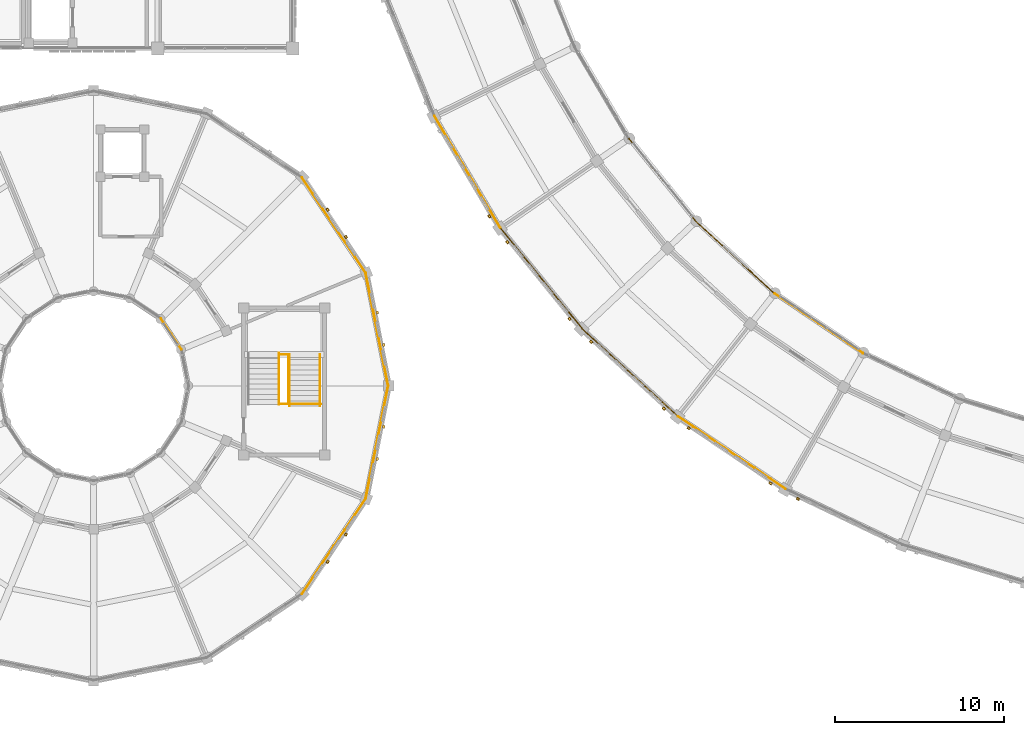
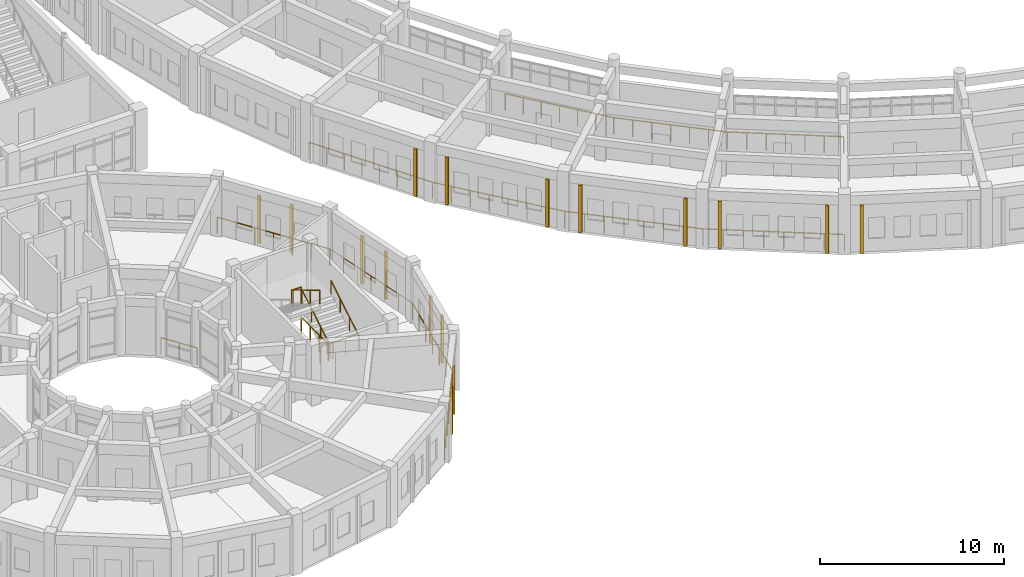
# One storey, part 141 of 159: 18 railings, 16 coverings.
"""IFC4 building model written with IfcOpenShell, lengths in metres."""

from ifc_helpers import new_model, si_unit, direction, frame, origin, origin_2d, place, context, subcontext, project, spatial, rectangle, circle, extrude, material, layer, layer_set, type_object, element, save


model = new_model("IFC4")

# Units and contexts
model_context = context("Model", 3, precision=1e-05, world=origin(), true_north=direction((0.0, 1.0)))
body_context = subcontext(model_context, "Body", "Model", "MODEL_VIEW")
ifc_project = project(units=[si_unit("LENGTHUNIT", "METRE"), si_unit("AREAUNIT", "SQUARE_METRE"), si_unit("VOLUMEUNIT", "CUBIC_METRE"), si_unit("PLANEANGLEUNIT", "RADIAN"), si_unit("MASSUNIT", "GRAM", prefix="KILO")], contexts=[model_context])

# Site, building, storey
site_placement = place(None, origin())
site = spatial("IfcSite", under=ifc_project, at=site_placement, CompositionType="ELEMENT")
building_placement = place(site_placement, origin())
building = spatial("IfcBuilding", under=site, at=building_placement, Name="Celadon Cloister-Ring School", CompositionType="ELEMENT")
storey_placement = place(building_placement, frame((0.0, 0.0, 4.5)))
storey = spatial("IfcBuildingStorey", under=building, at=storey_placement, Name="L01", CompositionType="ELEMENT", Elevation=4.5)

# Coverings
ifc_material_1 = material(Name="Perforated terracotta clay brick masonry", Category="masonry")
ifc_layer = layer(ifc_material_1, 0.139892578125)
ifc_layer_set = layer_set([ifc_layer], Name="Perforated terracotta clay brick masonry")
covering_type = type_object("IfcCoveringType", Name="CV-SC1", PredefinedType="CLADDING", material=ifc_layer_set)
for number, where, z_axis, x_axis, name in (
    (1, (43.6640625, 30.049072265625, 0.0), (0.0, 0.0, 1.0), (-0.507809026694, 0.861469670045, 0.0), "Brick Screen Rib 0152"),
    (2, (48.4169921875, 23.964111328125, 0.0), (0.0, 0.0, 1.0), (-0.629510264842, 0.776992166279, 0.0), "Brick Screen Rib 0154"),
    (3, (44.73388671875, 28.510009765625, 0.0), (0.0, 0.0, 1.0), (-0.629510264842, 0.776992166279, 0.0), "Brick Screen Rib 0155"),
    (4, (54.01708984375, 18.64892578125, 0.0), (0.0, 0.0, 1.0), (-0.737501330465, 0.67534568005, 0.0), "Brick Screen Rib 0156"),
    (5, (49.701904296875, 22.59912109375, 0.0), (0.0, 0.0, 1.0), (-0.737501330465, 0.67534568005, 0.0), "Brick Screen Rib 0157"),
    (6, (60.340087890625, 14.218017578125, 0.0), (0.0, 0.0, 1.0), (-0.829193696345, 0.558961370706, 0.0), "Brick Screen Rib 0158"),
    (7, (55.489990234375, 17.488037109375, 0.0), (0.0, 0.0, 1.0), (-0.829193696345, 0.558961370706, 0.0), "Brick Screen Rib 0159"),
    (8, (61.968017578125, 13.2880859375, 0.0), (0.0, 0.0, 1.0), (-0.90274301428, 0.430180253114, 0.0), "Brick Screen Rib 0161"),
    (9, (37.01708984375, 24.339111328125, 0.0), (0.0, 0.0, 1.0), (0.195141675546, -0.980775064153, 0.0), "Brick Screen Rib 0606"),
    (10, (37.39794921875, 22.427001953125, 0.0), (0.0, 0.0, 1.0), (0.195141675546, -0.980775064153, 0.0), "Brick Screen Rib 0607"),
    (11, (34.075927734375, 30.444091796875, 0.0), (0.0, 0.0, 1.0), (0.55567181205, -0.831401730389, 0.0), "Brick Screen Rib 0608"),
    (12, (35.159912109375, 28.822998046875, 0.0), (0.0, 0.0, 1.0), (0.55567181205, -0.831401730389, 0.0), "Brick Screen Rib 0609"),
    (13, (35.159912109375, 11.177001953125, 0.0), (0.0, 0.0, 1.0), (-0.55567181205, -0.831401730389, 0.0), "Brick Screen Rib 0634"),
    (14, (34.075927734375, 9.555908203125, 0.0), (0.0, 0.0, 1.0), (-0.55567181205, -0.831401730389, 0.0), "Brick Screen Rib 0635"),
    (15, (37.39794921875, 17.572998046875, 0.0), (0.0, 0.0, 1.0), (-0.195141675546, -0.980775064153, 0.0), "Brick Screen Rib 0636"),
    (16, (37.01708984375, 15.660888671875, 0.0), (0.0, 0.0, 1.0), (-0.195141675546, -0.980775064153, 0.0), "Brick Screen Rib 0637"),
):
    element("IfcCovering", number, at=place(storey_placement, frame(where, z_axis=z_axis, x_axis=x_axis)), inside=storey, type_object=covering_type, Name=name, PredefinedType="CLADDING", context=body_context, shape_type="SweptSolid", body=[
        extrude(rectangle(XDim=0.179931640625, YDim=0.139892578125, at=origin_2d()), origin(), (0.0, 0.0, 1.0), 3.152099609375),
    ])

# Railings
ifc_material_2 = material(Name="Structural steel S355JR", Category="steel")
railing_type_1 = type_object("IfcRailingType", Name="RL-BL1", PredefinedType="BALUSTRADE", material=ifc_material_2)
railing_1_placement = place(storey_placement, frame((40.410888671875, 35.993896484375, 0.0)))
element("IfcRailing", 17, at=railing_1_placement, inside=storey, type_object=railing_type_1, Name="Terrace Balustrade 0011", PredefinedType="BALUSTRADE", context=body_context, shape_type="SweptSolid", body=[
    extrude(circle(Radius=0.02392578125, at=origin_2d()), frame((0.0, 0.0, 1.09619140625), z_axis=(0.508006743226, -0.861353091848, 0.0), x_axis=(0.861353091848, 0.508006743226, 0.0)), (0.0, 0.0, 1.0), 7.697021484375),
    extrude(circle(Radius=0.02099609375, at=origin_2d()), origin(), (0.0, 0.0, 1.0), 1.072021484375),
    extrude(circle(Radius=0.02099609375, at=origin_2d()), frame((0.55859375, -0.947021484375, 0.0)), (0.0, 0.0, 1.0), 1.072021484375),
    extrude(circle(Radius=0.02099609375, at=origin_2d()), frame((1.1171875, -1.894287109375, 0.0)), (0.0, 0.0, 1.0), 1.072021484375),
    extrude(circle(Radius=0.02099609375, at=origin_2d()), frame((1.67578125, -2.84130859375, 0.0)), (0.0, 0.0, 1.0), 1.072021484375),
    extrude(circle(Radius=0.02099609375, at=origin_2d()), frame((2.234375, -3.78857421875, 0.0)), (0.0, 0.0, 1.0), 1.072021484375),
    extrude(circle(Radius=0.02099609375, at=origin_2d()), frame((2.79296875, -4.735595703125, 0.0)), (0.0, 0.0, 1.0), 1.072021484375),
    extrude(circle(Radius=0.02099609375, at=origin_2d()), frame((3.3515625, -5.682861328125, 0.0)), (0.0, 0.0, 1.0), 1.072021484375),
    extrude(circle(Radius=0.02099609375, at=origin_2d()), frame((3.91015625, -6.6298828125, 0.0)), (0.0, 0.0, 1.0), 1.072021484375),
])
railing_2_placement = place(storey_placement, frame((44.321044921875, 29.364013671875, 0.0)))
element("IfcRailing", 18, at=railing_2_placement, inside=storey, type_object=railing_type_1, Name="Terrace Balustrade 0012", PredefinedType="BALUSTRADE", context=body_context, shape_type="SweptSolid", body=[
    extrude(circle(Radius=0.02392578125, at=origin_2d()), frame((0.0, 0.0, 1.09619140625), z_axis=(0.629605941512, -0.776914640365, 0.0), x_axis=(0.776914640365, 0.629605941512, 0.0)), (0.0, 0.0, 1.0), 7.6982421875),
    extrude(circle(Radius=0.02099609375, at=origin_2d()), origin(), (0.0, 0.0, 1.0), 1.072021484375),
    extrude(circle(Radius=0.02099609375, at=origin_2d()), frame((0.6923828125, -0.8544921875, 0.0)), (0.0, 0.0, 1.0), 1.072021484375),
    extrude(circle(Radius=0.02099609375, at=origin_2d()), frame((1.384765625, -1.708740234375, 0.0)), (0.0, 0.0, 1.0), 1.072021484375),
    extrude(circle(Radius=0.02099609375, at=origin_2d()), frame((2.0771484375, -2.563232421875, 0.0)), (0.0, 0.0, 1.0), 1.072021484375),
    extrude(circle(Radius=0.02099609375, at=origin_2d()), frame((2.769775390625, -3.417724609375, 0.0)), (0.0, 0.0, 1.0), 1.072021484375),
    extrude(circle(Radius=0.02099609375, at=origin_2d()), frame((3.462158203125, -4.272216796875, 0.0)), (0.0, 0.0, 1.0), 1.072021484375),
    extrude(circle(Radius=0.02099609375, at=origin_2d()), frame((4.154541015625, -5.12646484375, 0.0)), (0.0, 0.0, 1.0), 1.072021484375),
    extrude(circle(Radius=0.02099609375, at=origin_2d()), frame((4.846923828125, -5.98095703125, 0.0)), (0.0, 0.0, 1.0), 1.072021484375),
])
railing_3_placement = place(storey_placement, frame((49.16796875, 23.383056640625, 0.0)))
element("IfcRailing", 19, at=railing_3_placement, inside=storey, type_object=railing_type_1, Name="Terrace Balustrade 0013", PredefinedType="BALUSTRADE", context=body_context, shape_type="SweptSolid", body=[
    extrude(circle(Radius=0.02392578125, at=origin_2d()), frame((0.0, 0.0, 1.09619140625), z_axis=(0.737537150433, -0.675306561298, 0.0), x_axis=(0.675306561298, 0.737537150433, 0.0)), (0.0, 0.0, 1.0), 7.697265625),
    extrude(circle(Radius=0.02099609375, at=origin_2d()), origin(), (0.0, 0.0, 1.0), 1.072021484375),
    extrude(circle(Radius=0.02099609375, at=origin_2d()), frame((0.81103515625, -0.74267578125, 0.0)), (0.0, 0.0, 1.0), 1.072021484375),
    extrude(circle(Radius=0.02099609375, at=origin_2d()), frame((1.6220703125, -1.485107421875, 0.0)), (0.0, 0.0, 1.0), 1.072021484375),
    extrude(circle(Radius=0.02099609375, at=origin_2d()), frame((2.43310546875, -2.227783203125, 0.0)), (0.0, 0.0, 1.0), 1.072021484375),
    extrude(circle(Radius=0.02099609375, at=origin_2d()), frame((3.243896484375, -2.97021484375, 0.0)), (0.0, 0.0, 1.0), 1.072021484375),
    extrude(circle(Radius=0.02099609375, at=origin_2d()), frame((4.054931640625, -3.712890625, 0.0)), (0.0, 0.0, 1.0), 1.072021484375),
    extrude(circle(Radius=0.02099609375, at=origin_2d()), frame((4.865966796875, -4.455322265625, 0.0)), (0.0, 0.0, 1.0), 1.072021484375),
    extrude(circle(Radius=0.02099609375, at=origin_2d()), frame((5.677001953125, -5.197998046875, 0.0)), (0.0, 0.0, 1.0), 1.072021484375),
])
railing_4_placement = place(storey_placement, frame((54.844970703125, 18.18505859375, 0.0)))
element("IfcRailing", 20, at=railing_4_placement, inside=storey, type_object=railing_type_1, Name="Terrace Balustrade 0014", PredefinedType="BALUSTRADE", context=body_context, shape_type="SweptSolid", body=[
    extrude(circle(Radius=0.02392578125, at=origin_2d()), frame((0.0, 0.0, 1.09619140625), z_axis=(0.829184941382, -0.558974358075, 0.0), x_axis=(0.558974358075, 0.829184941382, 0.0)), (0.0, 0.0, 1.0), 7.697998046875),
    extrude(circle(Radius=0.02099609375, at=origin_2d()), origin(), (0.0, 0.0, 1.0), 1.072021484375),
    extrude(circle(Radius=0.02099609375, at=origin_2d()), frame((0.911865234375, -0.61474609375, 0.0)), (0.0, 0.0, 1.0), 1.072021484375),
    extrude(circle(Radius=0.02099609375, at=origin_2d()), frame((1.82373046875, -1.2294921875, 0.0)), (0.0, 0.0, 1.0), 1.072021484375),
    extrude(circle(Radius=0.02099609375, at=origin_2d()), frame((2.735595703125, -1.84423828125, 0.0)), (0.0, 0.0, 1.0), 1.072021484375),
    extrude(circle(Radius=0.02099609375, at=origin_2d()), frame((3.6474609375, -2.458740234375, 0.0)), (0.0, 0.0, 1.0), 1.072021484375),
    extrude(circle(Radius=0.02099609375, at=origin_2d()), frame((4.559326171875, -3.073486328125, 0.0)), (0.0, 0.0, 1.0), 1.072021484375),
    extrude(circle(Radius=0.02099609375, at=origin_2d()), frame((5.47119140625, -3.688232421875, 0.0)), (0.0, 0.0, 1.0), 1.072021484375),
    extrude(circle(Radius=0.02099609375, at=origin_2d()), frame((6.383056640625, -4.302978515625, 0.0)), (0.0, 0.0, 1.0), 1.072021484375),
])
railing_5_placement = place(storey_placement, frame((51.93505859375, 34.65087890625, 0.0)))
element("IfcRailing", 21, at=railing_5_placement, inside=storey, type_object=railing_type_1, Name="Terrace Balustrade 0047", PredefinedType="BALUSTRADE", context=body_context, shape_type="SweptSolid", body=[
    extrude(circle(Radius=0.02392578125, at=origin_2d()), frame((0.0, 0.0, 1.09619140625), z_axis=(0.629663450113, -0.776868032288, 0.0), x_axis=(0.776868032288, 0.629663450113, 0.0)), (0.0, 0.0, 1.0), 6.323974609375),
    extrude(circle(Radius=0.02099609375, at=origin_2d()), origin(), (0.0, 0.0, 1.0), 1.072021484375),
    extrude(circle(Radius=0.02099609375, at=origin_2d()), frame((0.66357421875, -0.81884765625, 0.0)), (0.0, 0.0, 1.0), 1.072021484375),
    extrude(circle(Radius=0.02099609375, at=origin_2d()), frame((1.327392578125, -1.6376953125, 0.0)), (0.0, 0.0, 1.0), 1.072021484375),
    extrude(circle(Radius=0.02099609375, at=origin_2d()), frame((1.990966796875, -2.45654296875, 0.0)), (0.0, 0.0, 1.0), 1.072021484375),
    extrude(circle(Radius=0.02099609375, at=origin_2d()), frame((2.654541015625, -3.275146484375, 0.0)), (0.0, 0.0, 1.0), 1.072021484375),
    extrude(circle(Radius=0.02099609375, at=origin_2d()), frame((3.318359375, -4.093994140625, 0.0)), (0.0, 0.0, 1.0), 1.072021484375),
    extrude(circle(Radius=0.02099609375, at=origin_2d()), frame((3.98193359375, -4.912841796875, 0.0)), (0.0, 0.0, 1.0), 1.072021484375),
])
railing_6_placement = place(storey_placement, frame((55.9169921875, 29.738037109375, 0.0)))
element("IfcRailing", 22, at=railing_6_placement, inside=storey, type_object=railing_type_1, Name="Terrace Balustrade 0048", PredefinedType="BALUSTRADE", context=body_context, shape_type="SweptSolid", body=[
    extrude(circle(Radius=0.02392578125, at=origin_2d()), frame((0.0, 0.0, 1.09619140625), z_axis=(0.737500172804, -0.675346944254, 0.0), x_axis=(0.675346944254, 0.737500172804, 0.0)), (0.0, 0.0, 1.0), 6.32421875),
    extrude(circle(Radius=0.02099609375, at=origin_2d()), origin(), (0.0, 0.0, 1.0), 1.072021484375),
    extrude(circle(Radius=0.02099609375, at=origin_2d()), frame((0.77734375, -0.7119140625, 0.0)), (0.0, 0.0, 1.0), 1.072021484375),
    extrude(circle(Radius=0.02099609375, at=origin_2d()), frame((1.5546875, -1.423583984375, 0.0)), (0.0, 0.0, 1.0), 1.072021484375),
    extrude(circle(Radius=0.02099609375, at=origin_2d()), frame((2.33203125, -2.135498046875, 0.0)), (0.0, 0.0, 1.0), 1.072021484375),
    extrude(circle(Radius=0.02099609375, at=origin_2d()), frame((3.109375, -2.847412109375, 0.0)), (0.0, 0.0, 1.0), 1.072021484375),
    extrude(circle(Radius=0.02099609375, at=origin_2d()), frame((3.88671875, -3.55908203125, 0.0)), (0.0, 0.0, 1.0), 1.072021484375),
    extrude(circle(Radius=0.02099609375, at=origin_2d()), frame((4.6640625, -4.27099609375, 0.0)), (0.0, 0.0, 1.0), 1.072021484375),
])
railing_7_placement = place(storey_placement, frame((60.5810546875, 25.467041015625, 0.0)))
element("IfcRailing", 23, at=railing_7_placement, inside=storey, type_object=railing_type_1, Name="Terrace Balustrade 0049", PredefinedType="BALUSTRADE", context=body_context, shape_type="SweptSolid", body=[
    extrude(circle(Radius=0.02392578125, at=origin_2d()), frame((0.0, 0.0, 1.09619140625), z_axis=(0.829153257333, -0.559021355454, 0.0), x_axis=(0.559021355454, 0.829153257333, 0.0)), (0.0, 0.0, 1.0), 6.32568359375),
    extrude(circle(Radius=0.02099609375, at=origin_2d()), origin(), (0.0, 0.0, 1.0), 1.072021484375),
    extrude(circle(Radius=0.02099609375, at=origin_2d()), frame((0.8740234375, -0.58935546875, 0.0)), (0.0, 0.0, 1.0), 1.072021484375),
    extrude(circle(Radius=0.02099609375, at=origin_2d()), frame((1.748291015625, -1.1787109375, 0.0)), (0.0, 0.0, 1.0), 1.072021484375),
    extrude(circle(Radius=0.02099609375, at=origin_2d()), frame((2.62255859375, -1.76806640625, 0.0)), (0.0, 0.0, 1.0), 1.072021484375),
    extrude(circle(Radius=0.02099609375, at=origin_2d()), frame((3.49658203125, -2.357421875, 0.0)), (0.0, 0.0, 1.0), 1.072021484375),
    extrude(circle(Radius=0.02099609375, at=origin_2d()), frame((4.37060546875, -2.94677734375, 0.0)), (0.0, 0.0, 1.0), 1.072021484375),
    extrude(circle(Radius=0.02099609375, at=origin_2d()), frame((5.244873046875, -3.5361328125, 0.0)), (0.0, 0.0, 1.0), 1.072021484375),
])
railing_8_placement = place(storey_placement, frame((37.659912109375, 20.0, 0.0)))
element("IfcRailing", 24, at=railing_8_placement, inside=storey, type_object=railing_type_1, Name="Terrace Balustrade 0313", PredefinedType="BALUSTRADE", context=body_context, shape_type="SweptSolid", body=[
    extrude(circle(Radius=0.02392578125, at=origin_2d()), frame((0.0, 0.0, 1.09619140625), z_axis=(-0.19505472673, 0.980792360074, 0.0), x_axis=(-0.980792360074, -0.19505472673, 0.0)), (0.0, 0.0, 1.0), 6.812744140625),
    extrude(circle(Radius=0.02099609375, at=origin_2d()), origin(), (0.0, 0.0, 1.0), 1.072021484375),
    extrude(circle(Radius=0.02099609375, at=origin_2d()), frame((-0.221435546875, 1.11376953125, 0.0)), (0.0, 0.0, 1.0), 1.072021484375),
    extrude(circle(Radius=0.02099609375, at=origin_2d()), frame((-0.44287109375, 2.227294921875, 0.0)), (0.0, 0.0, 1.0), 1.072021484375),
    extrude(circle(Radius=0.02099609375, at=origin_2d()), frame((-0.66455078125, 3.3408203125, 0.0)), (0.0, 0.0, 1.0), 1.072021484375),
    extrude(circle(Radius=0.02099609375, at=origin_2d()), frame((-0.885986328125, 4.45458984375, 0.0)), (0.0, 0.0, 1.0), 1.072021484375),
    extrude(circle(Radius=0.02099609375, at=origin_2d()), frame((-1.107421875, 5.568359375, 0.0)), (0.0, 0.0, 1.0), 1.072021484375),
    extrude(circle(Radius=0.02099609375, at=origin_2d()), frame((-1.328857421875, 6.681884765625, 0.0)), (0.0, 0.0, 1.0), 1.072021484375),
])
railing_9_placement = place(storey_placement, frame((36.3310546875, 26.681884765625, 0.0)))
element("IfcRailing", 25, at=railing_9_placement, inside=storey, type_object=railing_type_1, Name="Terrace Balustrade 0314", PredefinedType="BALUSTRADE", context=body_context, shape_type="SweptSolid", body=[
    extrude(circle(Radius=0.02392578125, at=origin_2d()), frame((0.0, 0.0, 1.09619140625), z_axis=(-0.555626116577, 0.831432269387, 0.0), x_axis=(-0.831432269387, -0.555626116577, 0.0)), (0.0, 0.0, 1.0), 6.8125),
    extrude(circle(Radius=0.02099609375, at=origin_2d()), origin(), (0.0, 0.0, 1.0), 1.072021484375),
    extrude(circle(Radius=0.02099609375, at=origin_2d()), frame((-0.630859375, 0.944091796875, 0.0)), (0.0, 0.0, 1.0), 1.072021484375),
    extrude(circle(Radius=0.02099609375, at=origin_2d()), frame((-1.26171875, 1.887939453125, 0.0)), (0.0, 0.0, 1.0), 1.072021484375),
    extrude(circle(Radius=0.02099609375, at=origin_2d()), frame((-1.892578125, 2.83203125, 0.0)), (0.0, 0.0, 1.0), 1.072021484375),
    extrude(circle(Radius=0.02099609375, at=origin_2d()), frame((-2.5234375, 3.776123046875, 0.0)), (0.0, 0.0, 1.0), 1.072021484375),
    extrude(circle(Radius=0.02099609375, at=origin_2d()), frame((-3.154296875, 4.719970703125, 0.0)), (0.0, 0.0, 1.0), 1.072021484375),
    extrude(circle(Radius=0.02099609375, at=origin_2d()), frame((-3.78515625, 5.6640625, 0.0)), (0.0, 0.0, 1.0), 1.072021484375),
])
railing_10_placement = place(storey_placement, frame((32.5458984375, 7.654052734375, 0.0)))
element("IfcRailing", 26, at=railing_10_placement, inside=storey, type_object=railing_type_1, Name="Terrace Balustrade 0327", PredefinedType="BALUSTRADE", context=body_context, shape_type="SweptSolid", body=[
    extrude(circle(Radius=0.02392578125, at=origin_2d()), frame((0.0, 0.0, 1.09619140625), z_axis=(0.555626116577, 0.831432269387, 0.0), x_axis=(-0.831432269387, 0.555626116577, 0.0)), (0.0, 0.0, 1.0), 6.8125),
    extrude(circle(Radius=0.02099609375, at=origin_2d()), origin(), (0.0, 0.0, 1.0), 1.072021484375),
    extrude(circle(Radius=0.02099609375, at=origin_2d()), frame((0.630859375, 0.944091796875, 0.0)), (0.0, 0.0, 1.0), 1.072021484375),
    extrude(circle(Radius=0.02099609375, at=origin_2d()), frame((1.26171875, 1.887939453125, 0.0)), (0.0, 0.0, 1.0), 1.072021484375),
    extrude(circle(Radius=0.02099609375, at=origin_2d()), frame((1.892578125, 2.83203125, 0.0)), (0.0, 0.0, 1.0), 1.072021484375),
    extrude(circle(Radius=0.02099609375, at=origin_2d()), frame((2.5234375, 3.776123046875, 0.0)), (0.0, 0.0, 1.0), 1.072021484375),
    extrude(circle(Radius=0.02099609375, at=origin_2d()), frame((3.154296875, 4.719970703125, 0.0)), (0.0, 0.0, 1.0), 1.072021484375),
    extrude(circle(Radius=0.02099609375, at=origin_2d()), frame((3.78515625, 5.6640625, 0.0)), (0.0, 0.0, 1.0), 1.072021484375),
])
railing_11_placement = place(storey_placement, frame((36.3310546875, 13.318115234375, 0.0)))
element("IfcRailing", 27, at=railing_11_placement, inside=storey, type_object=railing_type_1, Name="Terrace Balustrade 0328", PredefinedType="BALUSTRADE", context=body_context, shape_type="SweptSolid", body=[
    extrude(circle(Radius=0.02392578125, at=origin_2d()), frame((0.0, 0.0, 1.09619140625), z_axis=(0.19505472673, 0.980792360074, 0.0), x_axis=(-0.980792360074, 0.19505472673, 0.0)), (0.0, 0.0, 1.0), 6.812744140625),
    extrude(circle(Radius=0.02099609375, at=origin_2d()), origin(), (0.0, 0.0, 1.0), 1.072021484375),
    extrude(circle(Radius=0.02099609375, at=origin_2d()), frame((0.221435546875, 1.11376953125, 0.0)), (0.0, 0.0, 1.0), 1.072021484375),
    extrude(circle(Radius=0.02099609375, at=origin_2d()), frame((0.44287109375, 2.227294921875, 0.0)), (0.0, 0.0, 1.0), 1.072021484375),
    extrude(circle(Radius=0.02099609375, at=origin_2d()), frame((0.66455078125, 3.3408203125, 0.0)), (0.0, 0.0, 1.0), 1.072021484375),
    extrude(circle(Radius=0.02099609375, at=origin_2d()), frame((0.885986328125, 4.45458984375, 0.0)), (0.0, 0.0, 1.0), 1.072021484375),
    extrude(circle(Radius=0.02099609375, at=origin_2d()), frame((1.107421875, 5.568359375, 0.0)), (0.0, 0.0, 1.0), 1.072021484375),
    extrude(circle(Radius=0.02099609375, at=origin_2d()), frame((1.328857421875, 6.681884765625, 0.0)), (0.0, 0.0, 1.0), 1.072021484375),
])
railing_12_placement = place(storey_placement, frame((25.410888671875, 22.157958984375, 0.0)))
element("IfcRailing", 28, at=railing_12_placement, inside=storey, type_object=railing_type_1, Name="Terrace Balustrade 0330", PredefinedType="BALUSTRADE", context=body_context, shape_type="SweptSolid", body=[
    extrude(circle(Radius=0.02392578125, at=origin_2d()), frame((0.0, 0.0, 1.09619140625), z_axis=(-0.555595762933, 0.831452553193, 0.0), x_axis=(-0.831452553193, -0.555595762933, 0.0)), (0.0, 0.0, 1.0), 2.201171875),
    extrude(circle(Radius=0.02099609375, at=origin_2d()), origin(), (0.0, 0.0, 1.0), 1.072021484375),
    extrude(circle(Radius=0.02099609375, at=origin_2d()), frame((-0.611328125, 0.9150390625, 0.0)), (0.0, 0.0, 1.0), 1.072021484375),
    extrude(circle(Radius=0.02099609375, at=origin_2d()), frame((-1.222900390625, 1.830078125, 0.0)), (0.0, 0.0, 1.0), 1.072021484375),
])
ifc_material_3 = material(Name="Structural steel S355JR", Category="steel")
railing_type_2 = type_object("IfcRailingType", Name="RL-BL2", PredefinedType="BALUSTRADE", material=ifc_material_3)
railing_13_placement = place(storey_placement, frame((31.239990234375, 21.85009765625, 2.0)))
element("IfcRailing", 29, at=railing_13_placement, inside=storey, type_object=railing_type_2, Name="Interior Guard 0101", PredefinedType="BALUSTRADE", context=body_context, shape_type="SweptSolid", body=[
    extrude(circle(Radius=0.02392578125, at=origin_2d()), frame((0.0, 0.0, 1.09619140625), z_axis=(1.0, 0.0, 0.0), x_axis=(0.0, 1.0, 0.0)), (0.0, 0.0, 1.0), 0.52001953125),
    extrude(circle(Radius=0.02099609375, at=origin_2d()), origin(), (0.0, 0.0, 1.0), 1.072021484375),
    extrude(circle(Radius=0.02099609375, at=origin_2d()), frame((0.52001953125, 0.0, 0.0)), (0.0, 0.0, 1.0), 1.072021484375),
])
railing_14_placement = place(storey_placement, frame((31.239990234375, 18.9150390625, 0.0)))
element("IfcRailing", 30, at=railing_14_placement, inside=storey, type_object=railing_type_2, Name="Interior Guard 0102", PredefinedType="BALUSTRADE", context=body_context, shape_type="SweptSolid", body=[
    extrude(circle(Radius=0.02392578125, at=origin_2d()), frame((0.0, 0.0, 1.09619140625), z_axis=(1.0, 0.0, 0.0), x_axis=(0.0, 1.0, 0.0)), (0.0, 0.0, 1.0), 2.419921875),
    extrude(circle(Radius=0.02099609375, at=origin_2d()), origin(), (0.0, 0.0, 1.0), 1.072021484375),
    extrude(circle(Radius=0.02099609375, at=origin_2d()), frame((0.806640625, 0.0, 0.0)), (0.0, 0.0, 1.0), 1.072021484375),
    extrude(circle(Radius=0.02099609375, at=origin_2d()), frame((1.61328125, 0.0, 0.0)), (0.0, 0.0, 1.0), 1.072021484375),
    extrude(circle(Radius=0.02099609375, at=origin_2d()), frame((2.419921875, 0.0, 0.0)), (0.0, 0.0, 1.0), 1.072021484375),
])
railing_15_placement = place(storey_placement, frame((31.760009765625, 18.9150390625, 0.0)))
element("IfcRailing", 31, at=railing_15_placement, inside=storey, type_object=railing_type_2, Name="Interior Guard 0103", PredefinedType="BALUSTRADE", context=body_context, shape_type="SweptSolid", body=[
    extrude(circle(Radius=0.02392578125, at=origin_2d()), frame((0.0, 0.0, 1.09619140625), z_axis=(0.0, 1.0, 0.0), x_axis=(-1.0, 0.0, 0.0)), (0.0, 0.0, 1.0), 2.93505859375),
    extrude(circle(Radius=0.02099609375, at=origin_2d()), origin(), (0.0, 0.0, 1.0), 1.072021484375),
    extrude(circle(Radius=0.02099609375, at=origin_2d()), frame((0.0, 0.978271484375, 0.0)), (0.0, 0.0, 1.0), 1.072021484375),
    extrude(circle(Radius=0.02099609375, at=origin_2d()), frame((0.0, 1.956787109375, 0.0)), (0.0, 0.0, 1.0), 1.072021484375),
    extrude(circle(Radius=0.02099609375, at=origin_2d()), frame((0.0, 2.93505859375, 0.0)), (0.0, 0.0, 1.0), 1.072021484375),
])
ifc_material_4 = material(Name="Structural steel S355JR", Category="steel")
railing_type_3 = type_object("IfcRailingType", Name="RL-HR1", PredefinedType="HANDRAIL", material=ifc_material_4)
for number, where, name in (
    (32, (33.614990234375, 18.800048828125, 0.181884765625), "Stair Handrail 0097"),
    (33, (31.804931640625, 18.800048828125, 0.181884765625), "Stair Handrail 0098"),
):
    element("IfcRailing", number, at=place(storey_placement, frame(where)), inside=storey, type_object=railing_type_3, Name=name, PredefinedType="HANDRAIL", context=body_context, shape_type="SweptSolid", body=[
        extrude(circle(Radius=0.02099609375, at=origin_2d()), frame((0.0, 0.0, 0.87890625), z_axis=(0.0, 0.858969654429, 0.51202649616), x_axis=(-1.0, 0.0, 0.0)), (0.0, 0.0, 1.0), 3.55078125),
        extrude(circle(Radius=0.01806640625, at=origin_2d()), origin(), (0.0, 0.0, 1.0), 0.85791015625),
        extrude(circle(Radius=0.01806640625, at=origin_2d()), frame((0.0, 1.0166015625, 0.60595703125)), (0.0, 0.0, 1.0), 0.85791015625),
        extrude(circle(Radius=0.01806640625, at=origin_2d()), frame((0.0, 2.033447265625, 1.212158203125)), (0.0, 0.0, 1.0), 0.85791015625),
        extrude(circle(Radius=0.01806640625, at=origin_2d()), frame((0.0, 3.050048828125, 1.818115234375)), (0.0, 0.0, 1.0), 0.85791015625),
    ])
railing_16_placement = place(storey_placement, frame((31.195068359375, 21.929931640625, 2.181884765625)))
element("IfcRailing", 34, at=railing_16_placement, inside=storey, type_object=railing_type_3, Name="Stair Handrail 0100", PredefinedType="HANDRAIL", context=body_context, shape_type="SweptSolid", body=[
    extrude(circle(Radius=0.02099609375, at=origin_2d()), frame((0.0, 0.0, 0.87890625), z_axis=(0.0, -0.858969654429, 0.51202649616), x_axis=(1.0, 0.0, 0.0)), (0.0, 0.0, 1.0), 3.55078125),
    extrude(circle(Radius=0.01806640625, at=origin_2d()), origin(), (0.0, 0.0, 1.0), 0.85791015625),
    extrude(circle(Radius=0.01806640625, at=origin_2d()), frame((0.0, -1.0166015625, 0.60595703125)), (0.0, 0.0, 1.0), 0.85791015625),
    extrude(circle(Radius=0.01806640625, at=origin_2d()), frame((0.0, -2.033447265625, 1.212158203125)), (0.0, 0.0, 1.0), 0.85791015625),
    extrude(circle(Radius=0.01806640625, at=origin_2d()), frame((0.0, -3.050048828125, 1.818115234375)), (0.0, 0.0, 1.0), 0.85791015625),
])

save(model, "model.ifc")
